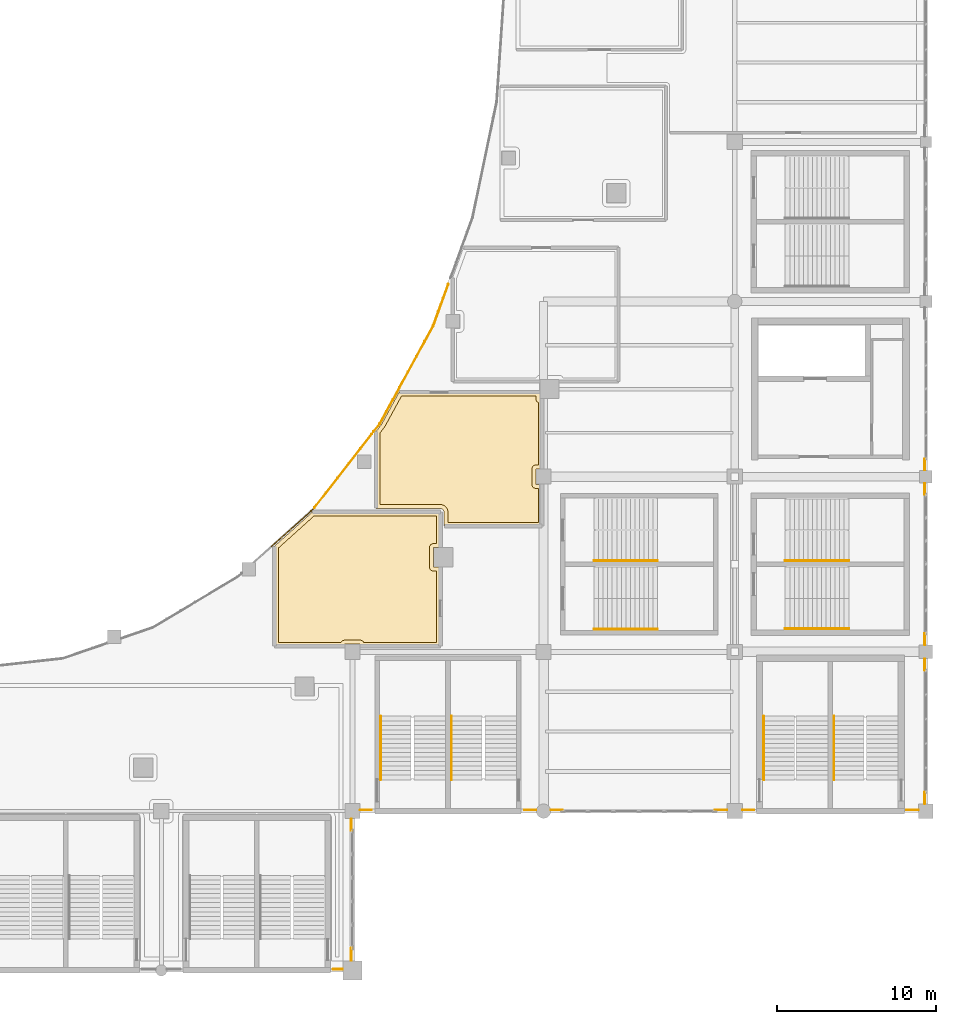
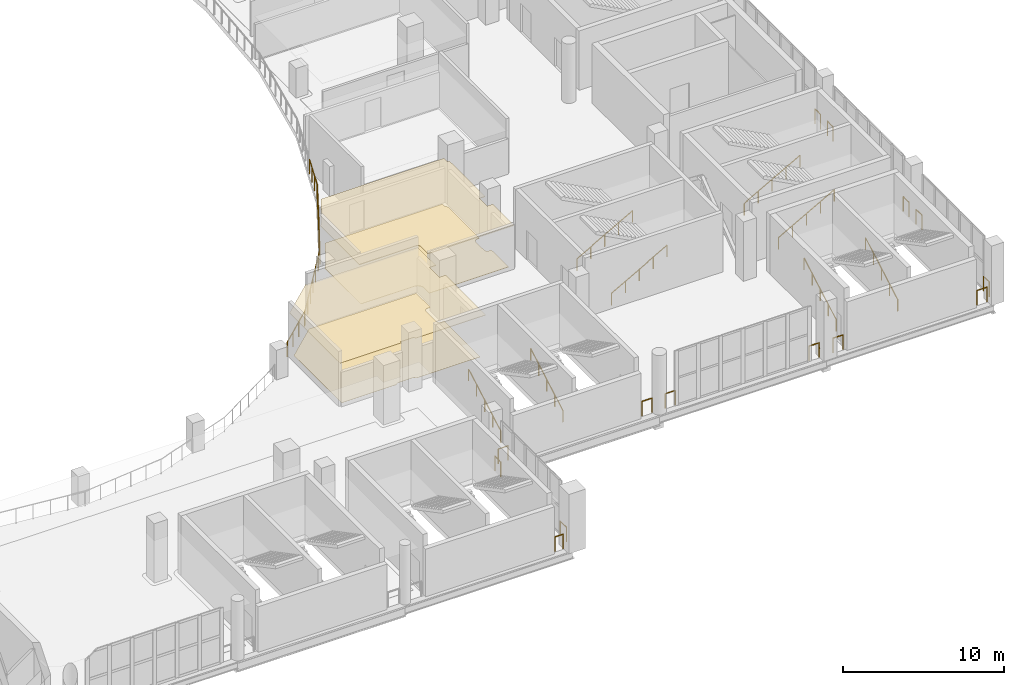
# One storey, part 86 of 90: 27 railings, 4 coverings.
"""IFC4 building model written with IfcOpenShell, lengths in metres."""

from ifc_helpers import new_model, si_unit, direction, frame, origin, origin_2d, place, context, subcontext, project, spatial, polyline, circle, outline, extrude, material, layer, layer_set, type_object, element, save


model = new_model("IFC4")

# Units and contexts
model_context = context("Model", 3, precision=1e-05, world=origin(), true_north=direction((0.0, 1.0)))
body_context = subcontext(model_context, "Body", "Model", "MODEL_VIEW")
ifc_project = project(units=[si_unit("LENGTHUNIT", "METRE"), si_unit("AREAUNIT", "SQUARE_METRE"), si_unit("VOLUMEUNIT", "CUBIC_METRE"), si_unit("PLANEANGLEUNIT", "RADIAN"), si_unit("MASSUNIT", "GRAM", prefix="KILO")], contexts=[model_context])

# Site, building, storey
site_placement = place(None, origin())
site = spatial("IfcSite", under=ifc_project, at=site_placement, CompositionType="ELEMENT")
building_placement = place(site_placement, origin())
building = spatial("IfcBuilding", under=site, at=building_placement, Name="Brinegate Civic Arena", CompositionType="ELEMENT")
storey_placement = place(building_placement, frame((0.0, 0.0, 14.699951171875)))
storey = spatial("IfcBuildingStorey", under=building, at=storey_placement, Name="L03", CompositionType="ELEMENT", Elevation=14.699951171875)

# Coverings
ifc_material_1 = material(Name="Acoustic perforated aluminium ceiling", Category="aluminium")
ifc_layer_1 = layer(ifc_material_1, 0.034912109375, Name="Acoustic perforated aluminium ceiling")
ifc_layer_set_1 = layer_set([ifc_layer_1], Name="Acoustic perforated aluminium ceiling")
covering_type_1 = type_object("IfcCoveringType", Name="CEILING-ACOUSTIC-35", PredefinedType="CEILING", material=ifc_layer_set_1)
covering_1_placement = place(storey_placement, frame((0.0, 0.0, 3.22509765625)))
element("IfcCovering", 1, at=covering_1_placement, inside=storey, type_object=covering_type_1, Name="Acoustic Ceiling L03-101", PredefinedType="CEILING", context=body_context, shape_type="SweptSolid", body=[
    extrude(outline(polyline([(137.5390625, 20.366943359375), (137.5390625, 20.364990234375), (137.5380859375, 20.363037109375), (137.537109375, 20.361083984375), (137.537109375, 20.360107421875), (137.535888671875, 20.35791015625), (137.533935546875, 20.35595703125), (137.532958984375, 20.35498046875), (137.531982421875, 20.35400390625), (137.530029296875, 20.35205078125), (137.528076171875, 20.35107421875), (137.527099609375, 20.35107421875), (137.52490234375, 20.35009765625), (137.52294921875, 20.34912109375), (137.52099609375, 20.34912109375), (137.51904296875, 20.34912109375), (132.485107421875, 20.34912109375), (132.485107421875, 20.485107421875), (131.514892578125, 20.485107421875), (131.514892578125, 20.34912109375), (127.118896484375, 20.34912109375), (127.116943359375, 20.34912109375), (127.114990234375, 20.34912109375), (127.113037109375, 20.35009765625), (127.111083984375, 20.35107421875), (127.110107421875, 20.35107421875), (127.10791015625, 20.35205078125), (127.10595703125, 20.35400390625), (127.10498046875, 20.35498046875), (127.10400390625, 20.35595703125), (127.10205078125, 20.35791015625), (127.10107421875, 20.360107421875), (127.10107421875, 20.361083984375), (127.10009765625, 20.363037109375), (127.09912109375, 20.364990234375), (127.09912109375, 20.366943359375), (127.09912109375, 20.368896484375), (127.09912109375, 26.62109375), (127.09912109375, 26.623046875), (127.09912109375, 26.625), (127.10009765625, 26.626953125), (127.10009765625, 26.6279296875), (127.10107421875, 26.6298828125), (127.10205078125, 26.632080078125), (127.10302734375, 26.633056640625), (127.10400390625, 26.635009765625), (127.10595703125, 26.635986328125), (129.4951171875, 28.783935546875), (129.49609375, 28.784912109375), (129.498046875, 28.785888671875), (129.5, 28.787109375), (129.501953125, 28.7880859375), (129.50390625, 28.7890625), (129.506103515625, 28.7890625), (129.508056640625, 28.7890625), (137.51904296875, 28.7890625), (137.52099609375, 28.7890625), (137.52294921875, 28.7890625), (137.52490234375, 28.7880859375), (137.527099609375, 28.787109375), (137.528076171875, 28.787109375), (137.530029296875, 28.785888671875), (137.531982421875, 28.783935546875), (137.532958984375, 28.782958984375), (137.533935546875, 28.781982421875), (137.535888671875, 28.780029296875), (137.537109375, 28.778076171875), (137.537109375, 28.777099609375), (137.5380859375, 28.77490234375), (137.5390625, 28.77294921875), (137.5390625, 28.77099609375), (137.5390625, 28.76904296875), (137.5390625, 26.548095703125), (137.087890625, 26.548095703125), (137.087890625, 25.327880859375), (137.5390625, 25.327880859375), (137.5390625, 20.368896484375), (137.5390625, 20.366943359375)])), origin(), (0.0, 0.0, 1.0), 0.034912109375),
])
ifc_layer_2 = layer(ifc_material_1, 0.044921875, Name="Acoustic perforated aluminium ceiling")
ifc_layer_set_2 = layer_set([ifc_layer_2], Name="Acoustic perforated aluminium ceiling")
covering_type_2 = type_object("IfcCoveringType", Name="CEILING-BAFFLE-45", PredefinedType="CEILING", material=ifc_layer_set_2)
covering_2_placement = place(storey_placement, frame((0.0, 0.0, 3.215087890625)))
element("IfcCovering", 2, at=covering_2_placement, inside=storey, type_object=covering_type_2, Name="Acoustic Ceiling L03-102", PredefinedType="CEILING", context=body_context, shape_type="SweptSolid", body=[
    extrude(outline(polyline([(143.9169921875, 27.903076171875), (143.916015625, 27.90087890625), (143.9150390625, 27.89892578125), (143.9150390625, 27.89794921875), (143.9140625, 27.89599609375), (143.912109375, 27.89404296875), (143.910888671875, 27.89306640625), (143.909912109375, 27.89208984375), (143.907958984375, 27.889892578125), (143.906005859375, 27.888916015625), (143.905029296875, 27.888916015625), (143.903076171875, 27.887939453125), (143.90087890625, 27.886962890625), (143.89892578125, 27.886962890625), (143.89697265625, 27.886962890625), (137.76904296875, 27.886962890625), (137.76708984375, 27.886962890625), (137.764892578125, 27.886962890625), (137.762939453125, 27.887939453125), (137.760986328125, 27.888916015625), (137.760009765625, 27.888916015625), (137.758056640625, 27.889892578125), (137.756103515625, 27.89208984375), (137.7548828125, 27.89306640625), (137.75390625, 27.89404296875), (137.751953125, 27.89599609375), (137.7509765625, 27.89794921875), (137.7509765625, 27.89892578125), (137.75, 27.90087890625), (137.7490234375, 27.903076171875), (137.7490234375, 27.905029296875), (137.7490234375, 27.906982421875), (137.7490234375, 28.76806640625), (137.743896484375, 28.81396484375), (137.73095703125, 28.85791015625), (137.721923828125, 28.876953125), (137.696044921875, 28.916015625), (137.681884765625, 28.931884765625), (137.64697265625, 28.9599609375), (137.6279296875, 28.970947265625), (137.5859375, 28.989013671875), (137.5419921875, 28.998046875), (137.51904296875, 28.9990234375), (133.4970703125, 28.9990234375), (133.4951171875, 28.9990234375), (133.492919921875, 28.9990234375), (133.490966796875, 29.0), (133.489013671875, 29.0009765625), (133.488037109375, 29.0009765625), (133.486083984375, 29.001953125), (133.48388671875, 29.00390625), (133.48291015625, 29.0048828125), (133.48193359375, 29.006103515625), (133.47998046875, 29.008056640625), (133.47900390625, 29.010009765625), (133.47900390625, 29.010986328125), (133.47802734375, 29.012939453125), (133.47705078125, 29.014892578125), (133.47705078125, 29.01708984375), (133.47705078125, 29.01904296875), (133.47705078125, 33.822998046875), (133.47705078125, 33.824951171875), (133.47705078125, 33.826904296875), (133.47802734375, 33.8291015625), (133.47802734375, 33.830078125), (133.47900390625, 33.83203125), (133.47998046875, 33.833984375), (133.48095703125, 33.8349609375), (133.803955078125, 34.2490234375), (133.821044921875, 34.27392578125), (134.93408203125, 36.31689453125), (134.93505859375, 36.318115234375), (134.93701171875, 36.320068359375), (134.93798828125, 36.321044921875), (134.93896484375, 36.322998046875), (134.94091796875, 36.323974609375), (134.943115234375, 36.324951171875), (134.944091796875, 36.325927734375), (134.946044921875, 36.325927734375), (134.947998046875, 36.326904296875), (134.949951171875, 36.326904296875), (134.951904296875, 36.326904296875), (143.762939453125, 36.326904296875), (143.762939453125, 35.889892578125), (143.9169921875, 35.889892578125), (143.9169921875, 31.485107421875), (143.514892578125, 31.485107421875), (143.514892578125, 30.514892578125), (143.9169921875, 30.514892578125), (143.9169921875, 27.906982421875), (143.9169921875, 27.905029296875), (143.9169921875, 27.903076171875)])), origin(), (0.0, 0.0, 1.0), 0.044921875),
])
ifc_material_2 = material(Name="Polished coral terrazzo flooring")
ifc_layer_3 = layer(ifc_material_2, 0.013916015625, Name="Polished coral terrazzo flooring")
ifc_layer_set_3 = layer_set([ifc_layer_3], Name="Polished coral terrazzo flooring")
covering_type_3 = type_object("IfcCoveringType", Name="FLOORING-ACOUSTIC-14", PredefinedType="FLOORING", material=ifc_layer_set_3)
covering_3_placement = place(storey_placement, origin())
element("IfcCovering", 3, at=covering_3_placement, inside=storey, type_object=covering_type_3, Name="Flooring L03-101", PredefinedType="FLOORING", context=body_context, shape_type="SweptSolid", body=[
    extrude(outline(polyline([(127.34912109375, 20.59912109375), (127.34912109375, 26.51806640625), (129.595947265625, 28.5390625), (137.2890625, 28.5390625), (137.2890625, 26.798095703125), (137.087890625, 26.798095703125), (137.06298828125, 26.797119140625), (137.0390625, 26.79296875), (137.014892578125, 26.787109375), (136.991943359375, 26.779052734375), (136.969970703125, 26.76806640625), (136.948974609375, 26.756103515625), (136.928955078125, 26.740966796875), (136.910888671875, 26.72509765625), (136.89501953125, 26.70703125), (136.8798828125, 26.68701171875), (136.867919921875, 26.666015625), (136.85693359375, 26.64404296875), (136.84912109375, 26.62109375), (136.843017578125, 26.596923828125), (136.839111328125, 26.572998046875), (136.837890625, 26.548095703125), (136.837890625, 25.327880859375), (136.839111328125, 25.302978515625), (136.843017578125, 25.279052734375), (136.84912109375, 25.2548828125), (136.85693359375, 25.23193359375), (136.867919921875, 25.2099609375), (136.8798828125, 25.18896484375), (136.89501953125, 25.1689453125), (136.910888671875, 25.15087890625), (136.928955078125, 25.135009765625), (136.948974609375, 25.1201171875), (136.969970703125, 25.10791015625), (136.991943359375, 25.096923828125), (137.014892578125, 25.089111328125), (137.0390625, 25.0830078125), (137.06298828125, 25.0791015625), (137.087890625, 25.077880859375), (137.2890625, 25.077880859375), (137.2890625, 20.59912109375), (132.70703125, 20.59912109375), (132.705078125, 20.60302734375), (132.693115234375, 20.6240234375), (132.677978515625, 20.64404296875), (132.662109375, 20.662109375), (132.64404296875, 20.677978515625), (132.6240234375, 20.693115234375), (132.60302734375, 20.705078125), (132.5810546875, 20.716064453125), (132.55810546875, 20.72412109375), (132.533935546875, 20.72998046875), (132.510009765625, 20.73388671875), (132.485107421875, 20.735107421875), (131.514892578125, 20.735107421875), (131.489990234375, 20.73388671875), (131.466064453125, 20.72998046875), (131.44189453125, 20.72412109375), (131.4189453125, 20.716064453125), (131.39697265625, 20.705078125), (131.3759765625, 20.693115234375), (131.35595703125, 20.677978515625), (131.337890625, 20.662109375), (131.322021484375, 20.64404296875), (131.306884765625, 20.6240234375), (131.294921875, 20.60302734375), (131.29296875, 20.59912109375), (127.34912109375, 20.59912109375)])), origin(), (0.0, 0.0, 1.0), 0.01416015625),
])
ifc_layer_4 = layer(ifc_material_2, 0.028076171875, Name="Polished coral terrazzo flooring")
ifc_layer_set_4 = layer_set([ifc_layer_4], Name="Polished coral terrazzo flooring")
covering_type_4 = type_object("IfcCoveringType", Name="FLOORING-TERRAZZO-28", PredefinedType="FLOORING", material=ifc_layer_set_4)
covering_4_placement = place(storey_placement, origin())
element("IfcCovering", 4, at=covering_4_placement, inside=storey, type_object=covering_type_4, Name="Flooring L03-102", PredefinedType="FLOORING", context=body_context, shape_type="SweptSolid", body=[
    extrude(outline(polyline([(133.72705078125, 29.2490234375), (133.72705078125, 33.743896484375), (134.0009765625, 34.094970703125), (134.011962890625, 34.110107421875), (134.029052734375, 34.135986328125), (134.0400390625, 34.155029296875), (135.089111328125, 36.076904296875), (143.512939453125, 36.076904296875), (143.512939453125, 35.889892578125), (143.513916015625, 35.864990234375), (143.51806640625, 35.841064453125), (143.52392578125, 35.81689453125), (143.531982421875, 35.7939453125), (143.54296875, 35.77197265625), (143.554931640625, 35.7509765625), (143.570068359375, 35.73095703125), (143.5859375, 35.712890625), (143.60400390625, 35.697021484375), (143.6240234375, 35.681884765625), (143.64501953125, 35.669921875), (143.6669921875, 35.658935546875), (143.6669921875, 31.735107421875), (143.514892578125, 31.735107421875), (143.489990234375, 31.73388671875), (143.466064453125, 31.72998046875), (143.44189453125, 31.72412109375), (143.4189453125, 31.716064453125), (143.39697265625, 31.705078125), (143.3759765625, 31.693115234375), (143.35595703125, 31.677978515625), (143.337890625, 31.662109375), (143.322021484375, 31.64404296875), (143.306884765625, 31.6240234375), (143.294921875, 31.60302734375), (143.283935546875, 31.5810546875), (143.27587890625, 31.55810546875), (143.27001953125, 31.533935546875), (143.26611328125, 31.510009765625), (143.264892578125, 31.485107421875), (143.264892578125, 30.514892578125), (143.26611328125, 30.489990234375), (143.27001953125, 30.466064453125), (143.27587890625, 30.44189453125), (143.283935546875, 30.4189453125), (143.294921875, 30.39697265625), (143.306884765625, 30.3759765625), (143.322021484375, 30.35595703125), (143.337890625, 30.337890625), (143.35595703125, 30.322021484375), (143.3759765625, 30.306884765625), (143.39697265625, 30.294921875), (143.4189453125, 30.283935546875), (143.44189453125, 30.27587890625), (143.466064453125, 30.27001953125), (143.489990234375, 30.26611328125), (143.514892578125, 30.264892578125), (143.6669921875, 30.264892578125), (143.6669921875, 28.136962890625), (137.9990234375, 28.136962890625), (137.9990234375, 28.76806640625), (137.998046875, 28.79296875), (137.992919921875, 28.839111328125), (137.989990234375, 28.863037109375), (137.98388671875, 28.885009765625), (137.970947265625, 28.928955078125), (137.964111328125, 28.949951171875), (137.955078125, 28.968994140625), (137.945068359375, 28.989013671875), (137.929931640625, 29.013916015625), (137.905029296875, 29.052978515625), (137.883056640625, 29.08203125), (137.868896484375, 29.097900390625), (137.85498046875, 29.112060546875), (137.840087890625, 29.125), (137.804931640625, 29.154052734375), (137.7880859375, 29.1669921875), (137.77099609375, 29.177978515625), (137.751953125, 29.18798828125), (137.72509765625, 29.200927734375), (137.68310546875, 29.218994140625), (137.659912109375, 29.22705078125), (137.636962890625, 29.23388671875), (137.593017578125, 29.242919921875), (137.572021484375, 29.24609375), (137.552001953125, 29.248046875), (137.529052734375, 29.2490234375), (137.51904296875, 29.2490234375), (133.72705078125, 29.2490234375)])), origin(), (0.0, 0.0, 1.0), 0.028076171875),
])

# Railings
ifc_material_3 = material(Name="Architectural stainless steel balustrade", Category="steel")
railing_type_1 = type_object("IfcRailingType", Name="RAIL-STAIR-HANDRAIL-900", PredefinedType="HANDRAIL", material=ifc_material_3)
for number, where, name in (
    (5, (157.824951171875, 11.969970703125, 0.0), "Stair Pitch Handrail ST-06A L03"),
    (6, (162.22509765625, 11.969970703125, 0.0), "Stair Pitch Handrail ST-06B L03"),
    (7, (133.77490234375, 11.969970703125, 0.0), "Stair Pitch Handrail ST-14A L03"),
    (8, (138.22509765625, 11.969970703125, 0.0), "Stair Pitch Handrail ST-14B L03"),
):
    element("IfcRailing", number, at=place(storey_placement, frame(where)), inside=storey, type_object=railing_type_1, Name=name, PredefinedType="HANDRAIL", context=body_context, shape_type="SweptSolid", body=[
        extrude(circle(Radius=0.02392578125, at=origin_2d()), frame((0.0, 0.001220703125, 0.876708984375), z_axis=(0.0, 0.871049806155, 0.491194701923), x_axis=(-1.0, 0.0, 0.0)), (0.0, 0.0, 1.0), 4.57763671875),
        extrude(circle(Radius=0.02099609375, at=origin_2d()), origin(), (0.0, 0.0, 1.0), 0.849853515625),
        extrude(circle(Radius=0.02099609375, at=origin_2d()), frame((0.0, 0.99755859375, 0.5625)), (0.0, 0.0, 1.0), 0.849853515625),
        extrude(circle(Radius=0.02099609375, at=origin_2d()), frame((0.0, 1.9951171875, 1.125)), (0.0, 0.0, 1.0), 0.849853515625),
        extrude(circle(Radius=0.02099609375, at=origin_2d()), frame((0.0, 2.992431640625, 1.6875)), (0.0, 0.0, 1.0), 0.849853515625),
        extrude(circle(Radius=0.02099609375, at=origin_2d()), frame((0.0, 3.989990234375, 2.25)), (0.0, 0.0, 1.0), 0.849853515625),
    ])
for number, where, name in (
    (9, (147.169921875, 21.425048828125, 0.0), "Stair Pitch Handrail ST-17A L03"),
    (10, (147.169921875, 25.72509765625, 0.0), "Stair Pitch Handrail ST-17B L03"),
    (11, (159.169921875, 21.455078125, 0.0), "Stair Pitch Handrail ST-19A L03"),
    (12, (159.169921875, 25.72509765625, 0.0), "Stair Pitch Handrail ST-19B L03"),
):
    element("IfcRailing", number, at=place(storey_placement, frame(where)), inside=storey, type_object=railing_type_1, Name=name, PredefinedType="HANDRAIL", context=body_context, shape_type="SweptSolid", body=[
        extrude(circle(Radius=0.02392578125, at=origin_2d()), frame((0.001220703125, 0.0, 0.876708984375), z_axis=(0.871049806155, 0.0, 0.491194701923), x_axis=(0.0, 1.0, 0.0)), (0.0, 0.0, 1.0), 4.57763671875),
        extrude(circle(Radius=0.02099609375, at=origin_2d()), origin(), (0.0, 0.0, 1.0), 0.849853515625),
        extrude(circle(Radius=0.02099609375, at=origin_2d()), frame((0.99755859375, 0.0, 0.5625)), (0.0, 0.0, 1.0), 0.849853515625),
        extrude(circle(Radius=0.02099609375, at=origin_2d()), frame((1.9951171875, 0.0, 1.125)), (0.0, 0.0, 1.0), 0.849853515625),
        extrude(circle(Radius=0.02099609375, at=origin_2d()), frame((2.992431640625, 0.0, 1.6875)), (0.0, 0.0, 1.0), 0.849853515625),
        extrude(circle(Radius=0.02099609375, at=origin_2d()), frame((3.989990234375, 0.0, 2.25)), (0.0, 0.0, 1.0), 0.849853515625),
    ])
railing_type_2 = type_object("IfcRailingType", Name="RAIL-VOID-BALUSTRADE-1120", PredefinedType="BALUSTRADE", material=ifc_material_3)
for number, where, name in (
    (13, (167.929931640625, 32.115966796875, 0.0), "Deck Edge Balustrade L03-268"),
    (14, (167.929931640625, 30.580078125, 0.0), "Deck Edge Balustrade L03-269"),
):
    element("IfcRailing", number, at=place(storey_placement, frame(where)), inside=storey, type_object=railing_type_2, Name=name, PredefinedType="BALUSTRADE", context=body_context, shape_type="SweptSolid", body=[
        extrude(circle(Radius=0.02392578125, at=origin_2d()), frame((0.0, -0.00146484375, 1.09619140625), z_axis=(0.0, -1.0, 0.0), x_axis=(1.0, 0.0, 0.0)), (0.0, 0.0, 1.0), 0.693115234375),
        extrude(circle(Radius=0.02099609375, at=origin_2d()), origin(), (0.0, 0.0, 1.0), 1.070068359375),
        extrude(circle(Radius=0.02099609375, at=origin_2d()), frame((0.0, -0.696044921875, 0.0)), (0.0, 0.0, 1.0), 1.070068359375),
    ])
for number, where, name in (
    (15, (167.929931640625, 21.15087890625, 0.0), "Deck Edge Balustrade L03-270"),
    (16, (167.929931640625, 19.554931640625, 0.0), "Deck Edge Balustrade L03-271"),
):
    element("IfcRailing", number, at=place(storey_placement, frame(where)), inside=storey, type_object=railing_type_2, Name=name, PredefinedType="BALUSTRADE", context=body_context, shape_type="SweptSolid", body=[
        extrude(circle(Radius=0.02392578125, at=origin_2d()), frame((0.0, -0.00146484375, 1.09619140625), z_axis=(0.0, -1.0, 0.0), x_axis=(1.0, 0.0, 0.0)), (0.0, 0.0, 1.0), 0.702880859375),
        extrude(circle(Radius=0.02099609375, at=origin_2d()), origin(), (0.0, 0.0, 1.0), 1.070068359375),
        extrude(circle(Radius=0.02099609375, at=origin_2d()), frame((0.0, -0.705810546875, 0.0)), (0.0, 0.0, 1.0), 1.070068359375),
    ])
railing_1_placement = place(storey_placement, frame((167.929931640625, 11.18603515625, 0.0)))
element("IfcRailing", 17, at=railing_1_placement, inside=storey, type_object=railing_type_2, Name="Deck Edge Balustrade L03-272", PredefinedType="BALUSTRADE", context=body_context, shape_type="SweptSolid", body=[
    extrude(circle(Radius=0.02392578125, at=origin_2d()), frame((0.0, -0.00146484375, 1.09619140625), z_axis=(0.0, -1.0, 0.0), x_axis=(1.0, 0.0, 0.0)), (0.0, 0.0, 1.0), 0.713134765625),
    extrude(circle(Radius=0.02099609375, at=origin_2d()), origin(), (0.0, 0.0, 1.0), 1.070068359375),
    extrude(circle(Radius=0.02099609375, at=origin_2d()), frame((0.0, -0.716064453125, 0.0)), (0.0, 0.0, 1.0), 1.070068359375),
])
railing_2_placement = place(storey_placement, frame((167.530029296875, 10.070068359375, 0.0)))
element("IfcRailing", 18, at=railing_2_placement, inside=storey, type_object=railing_type_2, Name="Deck Edge Balustrade L03-273", PredefinedType="BALUSTRADE", context=body_context, shape_type="SweptSolid", body=[
    extrude(circle(Radius=0.02392578125, at=origin_2d()), frame((-0.00146484375, 0.0, 1.09619140625), z_axis=(-1.0, 0.0, 0.0), x_axis=(0.0, -1.0, 0.0)), (0.0, 0.0, 1.0), 0.72705078125),
    extrude(circle(Radius=0.02099609375, at=origin_2d()), origin(), (0.0, 0.0, 1.0), 1.070068359375),
    extrude(circle(Radius=0.02099609375, at=origin_2d()), frame((-0.72998046875, 0.0, 0.0)), (0.0, 0.0, 1.0), 1.070068359375),
])
railing_3_placement = place(storey_placement, frame((157.199951171875, 10.070068359375, 0.0)))
element("IfcRailing", 19, at=railing_3_placement, inside=storey, type_object=railing_type_2, Name="Deck Edge Balustrade L03-274", PredefinedType="BALUSTRADE", context=body_context, shape_type="SweptSolid", body=[
    extrude(circle(Radius=0.02392578125, at=origin_2d()), frame((-0.00146484375, 0.0, 1.09619140625), z_axis=(-1.0, 0.0, 0.0), x_axis=(0.0, -1.0, 0.0)), (0.0, 0.0, 1.0), 0.701904296875),
    extrude(circle(Radius=0.02099609375, at=origin_2d()), origin(), (0.0, 0.0, 1.0), 1.070068359375),
    extrude(circle(Radius=0.02099609375, at=origin_2d()), frame((-0.704833984375, 0.0, 0.0)), (0.0, 0.0, 1.0), 1.070068359375),
])
railing_4_placement = place(storey_placement, frame((155.5048828125, 10.070068359375, 0.0)))
element("IfcRailing", 20, at=railing_4_placement, inside=storey, type_object=railing_type_2, Name="Deck Edge Balustrade L03-275", PredefinedType="BALUSTRADE", context=body_context, shape_type="SweptSolid", body=[
    extrude(circle(Radius=0.02392578125, at=origin_2d()), frame((-0.00146484375, 0.0, 1.09619140625), z_axis=(-1.0, 0.0, 0.0), x_axis=(0.0, -1.0, 0.0)), (0.0, 0.0, 1.0), 0.723876953125),
    extrude(circle(Radius=0.02099609375, at=origin_2d()), origin(), (0.0, 0.0, 1.0), 1.070068359375),
    extrude(circle(Radius=0.02099609375, at=origin_2d()), frame((-0.726806640625, 0.0, 0.0)), (0.0, 0.0, 1.0), 1.070068359375),
])
railing_5_placement = place(storey_placement, frame((145.18603515625, 10.070068359375, 0.0)))
element("IfcRailing", 21, at=railing_5_placement, inside=storey, type_object=railing_type_2, Name="Deck Edge Balustrade L03-276", PredefinedType="BALUSTRADE", context=body_context, shape_type="SweptSolid", body=[
    extrude(circle(Radius=0.02392578125, at=origin_2d()), frame((-0.00146484375, 0.0, 1.09619140625), z_axis=(-1.0, 0.0, 0.0), x_axis=(0.0, -1.0, 0.0)), (0.0, 0.0, 1.0), 0.713134765625),
    extrude(circle(Radius=0.02099609375, at=origin_2d()), origin(), (0.0, 0.0, 1.0), 1.070068359375),
    extrude(circle(Radius=0.02099609375, at=origin_2d()), frame((-0.716064453125, 0.0, 0.0)), (0.0, 0.0, 1.0), 1.070068359375),
])
railing_6_placement = place(storey_placement, frame((143.530029296875, 10.070068359375, 0.0)))
element("IfcRailing", 22, at=railing_6_placement, inside=storey, type_object=railing_type_2, Name="Deck Edge Balustrade L03-277", PredefinedType="BALUSTRADE", context=body_context, shape_type="SweptSolid", body=[
    extrude(circle(Radius=0.02392578125, at=origin_2d()), frame((-0.00146484375, 0.0, 1.09619140625), z_axis=(-1.0, 0.0, 0.0), x_axis=(0.0, -1.0, 0.0)), (0.0, 0.0, 1.0), 0.72705078125),
    extrude(circle(Radius=0.02099609375, at=origin_2d()), origin(), (0.0, 0.0, 1.0), 1.070068359375),
    extrude(circle(Radius=0.02099609375, at=origin_2d()), frame((-0.72998046875, 0.0, 0.0)), (0.0, 0.0, 1.0), 1.070068359375),
])
railing_7_placement = place(storey_placement, frame((133.199951171875, 10.070068359375, 0.0)))
element("IfcRailing", 23, at=railing_7_placement, inside=storey, type_object=railing_type_2, Name="Deck Edge Balustrade L03-278", PredefinedType="BALUSTRADE", context=body_context, shape_type="SweptSolid", body=[
    extrude(circle(Radius=0.02392578125, at=origin_2d()), frame((-0.00146484375, 0.0, 1.09619140625), z_axis=(-1.0, 0.0, 0.0), x_axis=(0.0, -1.0, 0.0)), (0.0, 0.0, 1.0), 0.701904296875),
    extrude(circle(Radius=0.02099609375, at=origin_2d()), origin(), (0.0, 0.0, 1.0), 1.070068359375),
    extrude(circle(Radius=0.02099609375, at=origin_2d()), frame((-0.704833984375, 0.0, 0.0)), (0.0, 0.0, 1.0), 1.070068359375),
])
railing_8_placement = place(storey_placement, frame((131.929931640625, 9.5048828125, 0.0)))
element("IfcRailing", 24, at=railing_8_placement, inside=storey, type_object=railing_type_2, Name="Deck Edge Balustrade L03-279", PredefinedType="BALUSTRADE", context=body_context, shape_type="SweptSolid", body=[
    extrude(circle(Radius=0.02392578125, at=origin_2d()), frame((0.0, -0.00146484375, 1.09619140625), z_axis=(0.0, -1.0, 0.0), x_axis=(1.0, 0.0, 0.0)), (0.0, 0.0, 1.0), 0.723876953125),
    extrude(circle(Radius=0.02099609375, at=origin_2d()), origin(), (0.0, 0.0, 1.0), 1.070068359375),
    extrude(circle(Radius=0.02099609375, at=origin_2d()), frame((0.0, -0.726806640625, 0.0)), (0.0, 0.0, 1.0), 1.070068359375),
])
railing_9_placement = place(storey_placement, frame((131.929931640625, 1.39892578125, 0.0)))
element("IfcRailing", 25, at=railing_9_placement, inside=storey, type_object=railing_type_2, Name="Deck Edge Balustrade L03-280", PredefinedType="BALUSTRADE", context=body_context, shape_type="SweptSolid", body=[
    extrude(circle(Radius=0.02392578125, at=origin_2d()), frame((0.0, -0.00146484375, 1.09619140625), z_axis=(0.0, -1.0, 0.0), x_axis=(1.0, 0.0, 0.0)), (0.0, 0.0, 1.0), 0.77587890625),
    extrude(circle(Radius=0.02099609375, at=origin_2d()), origin(), (0.0, 0.0, 1.0), 1.070068359375),
    extrude(circle(Radius=0.02099609375, at=origin_2d()), frame((0.0, -0.77880859375, 0.0)), (0.0, 0.0, 1.0), 1.070068359375),
])
railing_10_placement = place(storey_placement, frame((131.3798828125, 0.070068359375, 0.0)))
element("IfcRailing", 26, at=railing_10_placement, inside=storey, type_object=railing_type_2, Name="Deck Edge Balustrade L03-281", PredefinedType="BALUSTRADE", context=body_context, shape_type="SweptSolid", body=[
    extrude(circle(Radius=0.02392578125, at=origin_2d()), frame((-0.00146484375, 0.0, 1.09619140625), z_axis=(-1.0, 0.0, 0.0), x_axis=(0.0, -1.0, 0.0)), (0.0, 0.0, 1.0), 0.576904296875),
    extrude(circle(Radius=0.02099609375, at=origin_2d()), origin(), (0.0, 0.0, 1.0), 1.070068359375),
    extrude(circle(Radius=0.02099609375, at=origin_2d()), frame((-0.579833984375, 0.0, 0.0)), (0.0, 0.0, 1.0), 1.070068359375),
])
railing_11_placement = place(storey_placement, frame((133.717041015625, 34.31689453125, 0.0)))
element("IfcRailing", 27, at=railing_11_placement, inside=storey, type_object=railing_type_2, Name="Deck Edge Balustrade L03-300", PredefinedType="BALUSTRADE", context=body_context, shape_type="SweptSolid", body=[
    extrude(circle(Radius=0.02392578125, at=origin_2d()), frame((0.000732421875, 0.001220703125, 1.09619140625), z_axis=(0.479330118599, 0.877634683342, 0.0), x_axis=(-0.877634683342, 0.479330118599, 0.0)), (0.0, 0.0, 1.0), 2.5732421875),
    extrude(circle(Radius=0.02099609375, at=origin_2d()), origin(), (0.0, 0.0, 1.0), 1.070068359375),
    extrude(circle(Radius=0.02099609375, at=origin_2d()), frame((0.41162109375, 0.753662109375, 0.0)), (0.0, 0.0, 1.0), 1.070068359375),
    extrude(circle(Radius=0.02099609375, at=origin_2d()), frame((0.8232421875, 1.50732421875, 0.0)), (0.0, 0.0, 1.0), 1.070068359375),
    extrude(circle(Radius=0.02099609375, at=origin_2d()), frame((1.23486328125, 2.260986328125, 0.0)), (0.0, 0.0, 1.0), 1.070068359375),
])
railing_12_placement = place(storey_placement, frame((134.95703125, 36.5869140625, 0.0)))
element("IfcRailing", 28, at=railing_12_placement, inside=storey, type_object=railing_type_2, Name="Deck Edge Balustrade L03-301", PredefinedType="BALUSTRADE", context=body_context, shape_type="SweptSolid", body=[
    extrude(circle(Radius=0.02392578125, at=origin_2d()), frame((0.000732421875, 0.001220703125, 1.09619140625), z_axis=(0.478863743987, 0.877889238284, 0.0), x_axis=(-0.877889238284, 0.478863743987, 0.0)), (0.0, 0.0, 1.0), 4.415771484375),
    extrude(circle(Radius=0.02392578125, at=origin_2d()), frame((2.116455078125, 3.880615234375, 1.09619140625), z_axis=(0.341834856086, 0.93976003914, 0.0), x_axis=(-0.93976003914, 0.341834856086, 0.0)), (0.0, 0.0, 1.0), 2.773193359375),
    extrude(circle(Radius=0.02099609375, at=origin_2d()), origin(), (0.0, 0.0, 1.0), 1.070068359375),
    extrude(circle(Radius=0.02099609375, at=origin_2d()), frame((0.529052734375, 0.9697265625, 0.0)), (0.0, 0.0, 1.0), 1.070068359375),
    extrude(circle(Radius=0.02099609375, at=origin_2d()), frame((1.05810546875, 1.939453125, 0.0)), (0.0, 0.0, 1.0), 1.070068359375),
    extrude(circle(Radius=0.02099609375, at=origin_2d()), frame((1.5869140625, 2.909423828125, 0.0)), (0.0, 0.0, 1.0), 1.070068359375),
    extrude(circle(Radius=0.02099609375, at=origin_2d()), frame((2.115966796875, 3.879150390625, 0.0)), (0.0, 0.0, 1.0), 1.070068359375),
    extrude(circle(Radius=0.02099609375, at=origin_2d()), frame((2.432373046875, 4.748779296875, 0.0)), (0.0, 0.0, 1.0), 1.070068359375),
    extrude(circle(Radius=0.02099609375, at=origin_2d()), frame((2.74853515625, 5.618408203125, 0.0)), (0.0, 0.0, 1.0), 1.070068359375),
    extrude(circle(Radius=0.02099609375, at=origin_2d()), frame((3.06494140625, 6.488037109375, 0.0)), (0.0, 0.0, 1.0), 1.070068359375),
])
railing_13_placement = place(storey_placement, frame((126.924072265625, 26.62109375, 0.0)))
element("IfcRailing", 29, at=railing_13_placement, inside=storey, type_object=railing_type_2, Name="Deck Edge Balustrade L03-326", PredefinedType="BALUSTRADE", context=body_context, shape_type="SweptSolid", body=[
    extrude(circle(Radius=0.02392578125, at=origin_2d()), frame((0.001220703125, 0.0009765625, 1.09619140625), z_axis=(0.74380411256, 0.668397667664, 0.0), x_axis=(-0.668397667664, 0.74380411256, 0.0)), (0.0, 0.0, 1.0), 3.470947265625),
    extrude(circle(Radius=0.02099609375, at=origin_2d()), origin(), (0.0, 0.0, 1.0), 1.070068359375),
    extrude(circle(Radius=0.02099609375, at=origin_2d()), frame((0.861328125, 0.77392578125, 0.0)), (0.0, 0.0, 1.0), 1.070068359375),
    extrude(circle(Radius=0.02099609375, at=origin_2d()), frame((1.72265625, 1.548095703125, 0.0)), (0.0, 0.0, 1.0), 1.070068359375),
    extrude(circle(Radius=0.02099609375, at=origin_2d()), frame((2.583984375, 2.322021484375, 0.0)), (0.0, 0.0, 1.0), 1.070068359375),
])
railing_14_placement = place(storey_placement, frame((129.613037109375, 29.049072265625, 0.0)))
element("IfcRailing", 30, at=railing_14_placement, inside=storey, type_object=railing_type_2, Name="Deck Edge Balustrade L03-327", PredefinedType="BALUSTRADE", context=body_context, shape_type="SweptSolid", body=[
    extrude(circle(Radius=0.02392578125, at=origin_2d()), frame((0.0009765625, 0.001220703125, 1.09619140625), z_axis=(0.614580272667, 0.788854288477, 0.0), x_axis=(-0.788854288477, 0.614580272667, 0.0)), (0.0, 0.0, 1.0), 5.861083984375),
    extrude(circle(Radius=0.02099609375, at=origin_2d()), origin(), (0.0, 0.0, 1.0), 1.070068359375),
    extrude(circle(Radius=0.02099609375, at=origin_2d()), frame((0.720703125, 0.92529296875, 0.0)), (0.0, 0.0, 1.0), 1.070068359375),
    extrude(circle(Radius=0.02099609375, at=origin_2d()), frame((1.441650390625, 1.850341796875, 0.0)), (0.0, 0.0, 1.0), 1.070068359375),
    extrude(circle(Radius=0.02099609375, at=origin_2d()), frame((2.162353515625, 2.775634765625, 0.0)), (0.0, 0.0, 1.0), 1.070068359375),
    extrude(circle(Radius=0.02099609375, at=origin_2d()), frame((2.88330078125, 3.70068359375, 0.0)), (0.0, 0.0, 1.0), 1.070068359375),
    extrude(circle(Radius=0.02099609375, at=origin_2d()), frame((3.60400390625, 4.6259765625, 0.0)), (0.0, 0.0, 1.0), 1.070068359375),
])
railing_15_placement = place(storey_placement, frame((133.33203125, 33.822998046875, 0.0)))
element("IfcRailing", 31, at=railing_15_placement, inside=storey, type_object=railing_type_2, Name="Deck Edge Balustrade L03-328", PredefinedType="BALUSTRADE", context=body_context, shape_type="SweptSolid", body=[
    extrude(circle(Radius=0.02392578125, at=origin_2d()), frame((0.0009765625, 0.001220703125, 1.09619140625), z_axis=(0.614803928423, 0.788679991883, 0.0), x_axis=(-0.788679991883, 0.614803928423, 0.0)), (0.0, 0.0, 1.0), 0.623291015625),
    extrude(circle(Radius=0.02099609375, at=origin_2d()), origin(), (0.0, 0.0, 1.0), 1.070068359375),
    extrude(circle(Radius=0.02099609375, at=origin_2d()), frame((0.385009765625, 0.493896484375, 0.0)), (0.0, 0.0, 1.0), 1.070068359375),
])

save(model, "model.ifc")
